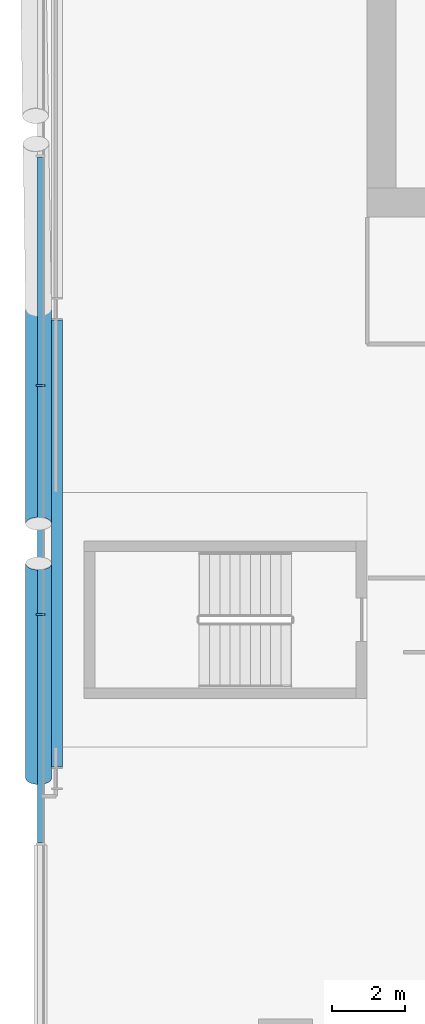
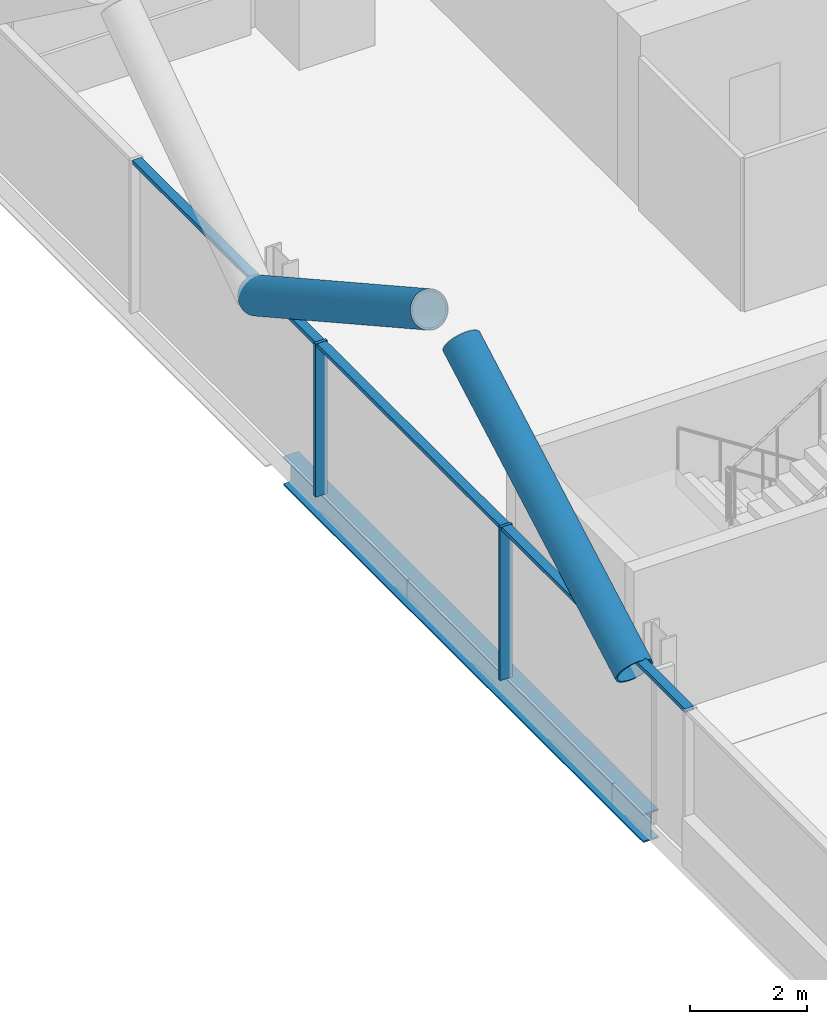
# One storey, part 7 of 29: 7 members, 1 beam, 1 element without a shape of its own.
"""IFC4 building model written with IfcOpenShell, lengths in metres."""

import ifcopenshell
import ifcopenshell.guid

model = None  # the IFC model being written
_history = None  # IfcOwnerHistory: only IFC2X3 demands one
_inside = {}  # id of a spatial element -> (the spatial element, [elements in it])
_under = {}  # id of a project, library or spatial element -> (it, [spatial elements below it])
_declared = {}  # id of a project -> (the project, [libraries it declares])
_typed = {}  # id of a type object -> (the type object, [elements of that type])
_made_of = {}  # id of a material, layer set ... -> (it, [elements and type objects made of it])


def new_model(schema):
    """Start an empty IFC model of exactly this schema.

    Asked for "IFC4X3", IfcOpenShell would pick the latest addendum, in which some entities
    have other attributes; the version numbers below select the first issue.
    IFC2X3 requires an IfcOwnerHistory on every rooted entity: one is made here for all.
    """
    global model, _history
    if schema == "IFC4X3":
        model = ifcopenshell.file(schema_version=(4, 3, 0, 0))
    else:
        model = ifcopenshell.file(schema=schema)
    _inside.clear()
    _under.clear()
    _declared.clear()
    _typed.clear()
    _made_of.clear()
    _history = None
    if model.schema == "IFC2X3":
        org = make("IfcOrganization", Name="unknown")
        user = make(
            "IfcPersonAndOrganization",
            ThePerson=make("IfcPerson", FamilyName="unknown"),
            TheOrganization=org,
        )
        app = make(
            "IfcApplication",
            ApplicationDeveloper=org,
            Version="unknown",
            ApplicationFullName="unknown",
            ApplicationIdentifier="unknown",
        )
        _history = make(
            "IfcOwnerHistory",
            OwningUser=user,
            OwningApplication=app,
            ChangeAction="ADDED",
            CreationDate=0,
        )
    return model


def make(cls, **values):
    """One entity of the class cls with the attributes given. An attribute that is None is left unset."""
    return model.create_entity(
        cls, **{name: value for name, value in values.items() if value is not None}
    )


def rooted(cls, **values):
    """An entity with a GlobalId (a new one), such as an element, a storey or a relation."""
    return make(cls, GlobalId=ifcopenshell.guid.new(), OwnerHistory=_history, **values)


def si_unit(unit_type, name, prefix=None):
    """IfcSIUnit, for example si_unit("LENGTHUNIT", "METRE", prefix="MILLI")."""
    return make("IfcSIUnit", UnitType=unit_type, Prefix=prefix, Name=name)


def assignment(units):
    """IfcUnitAssignment: the units of a project."""
    return None if units is None else make("IfcUnitAssignment", Units=units)


def point(xyz):
    """IfcCartesianPoint."""
    return None if xyz is None else make("IfcCartesianPoint", Coordinates=xyz)


def direction(xyz):
    """IfcDirection."""
    return None if xyz is None else make("IfcDirection", DirectionRatios=xyz)


def frame(location, z_axis=None, x_axis=None):
    """IfcAxis2Placement3D, a coordinate frame: its origin and axes. An axis left out is left unset."""
    return make(
        "IfcAxis2Placement3D",
        Location=point(location),
        Axis=direction(z_axis),
        RefDirection=direction(x_axis),
    )


def frame_2d(location, x_axis=None):
    """IfcAxis2Placement2D, a coordinate frame in the plane: its origin and x axis."""
    return make(
        "IfcAxis2Placement2D", Location=point(location), RefDirection=direction(x_axis)
    )


def origin():
    """The frame at (0, 0, 0) with its axes left unset."""
    return frame((0.0, 0.0, 0.0))


def origin_2d():
    """The frame at (0, 0) in the plane with its x axis left unset."""
    return frame_2d((0.0, 0.0))


def place(relative_to, where):
    """IfcLocalPlacement: puts the frame where relative to a parent placement (None: the world)."""
    return make(
        "IfcLocalPlacement", PlacementRelTo=relative_to, RelativePlacement=where
    )


def context(
    kind, dimensions, precision=None, world=None, true_north=None, identifier=None
):
    """IfcGeometricRepresentationContext, for example the 3D "Model" context."""
    return make(
        "IfcGeometricRepresentationContext",
        ContextIdentifier=identifier,
        ContextType=kind,
        CoordinateSpaceDimension=dimensions,
        Precision=precision,
        WorldCoordinateSystem=world,
        TrueNorth=true_north,
    )


def subcontext(parent, identifier, kind, view, scale=None):
    """IfcGeometricRepresentationSubContext, for example "Body" below "Model"."""
    return make(
        "IfcGeometricRepresentationSubContext",
        ContextIdentifier=identifier,
        ContextType=kind,
        ParentContext=parent,
        TargetScale=scale,
        TargetView=view,
    )


def project(units=None, contexts=None):
    """IfcProject with its units and contexts."""
    return rooted(
        "IfcProject",
        Name="project",
        RepresentationContexts=contexts,
        UnitsInContext=assignment(units),
    )


def spatial(cls, under=None, at=None, **own):
    """A site, building, storey or space (cls), placed at a placement, below another one or the project."""
    s = rooted(cls, ObjectPlacement=at, **own)
    if under is not None:
        _under.setdefault(under.id(), (under, []))[1].append(s)
    return s


def profile(cls, at=None, kind="AREA", **sizes):
    """A parametric profile (cls). Its sizes go by their IFC names, for example OverallWidth=200.0."""
    return make(cls, ProfileType=kind, Position=at, **sizes)


def rectangle(**sizes):
    """IfcRectangleProfileDef."""
    return profile("IfcRectangleProfileDef", **sizes)


def hollow_circle(**sizes):
    """IfcCircleHollowProfileDef."""
    return profile("IfcCircleHollowProfileDef", **sizes)


def i_section(**sizes):
    """IfcIShapeProfileDef."""
    return profile("IfcIShapeProfileDef", **sizes)


def extrude(swept, where, along, depth):
    """IfcExtrudedAreaSolid: the profile swept, set in the frame where, extruded along a direction by depth."""
    return make(
        "IfcExtrudedAreaSolid",
        SweptArea=swept,
        Position=where,
        ExtrudedDirection=direction(along),
        Depth=depth,
    )


def shape(context_of_items, identifier, shape_type, items):
    """IfcShapeRepresentation: the items that make up one representation, for example the "Body"."""
    return make(
        "IfcShapeRepresentation",
        ContextOfItems=context_of_items,
        RepresentationIdentifier=identifier,
        RepresentationType=shape_type,
        Items=items,
    )


def material(Name=None, Category=None):
    """IfcMaterial."""
    return make("IfcMaterial", Name=Name, Category=Category)


def material_profile(
    of_material, cross_section, Name=None, Category=None, Priority=None
):
    """IfcMaterialProfile: a cross section and its material."""
    return make(
        "IfcMaterialProfile",
        Name=Name,
        Material=of_material,
        Profile=cross_section,
        Priority=Priority,
        Category=Category,
    )


def profile_set(profiles, Name=None, composite=None):
    """IfcMaterialProfileSet."""
    return make(
        "IfcMaterialProfileSet",
        Name=Name,
        MaterialProfiles=profiles,
        CompositeProfile=composite,
    )


def made_of(thing, what):
    """Note that an element or type object is made of a material, layer set ...; save() writes the relation."""
    if what is not None:
        _made_of.setdefault(what.id(), (what, []))[1].append(thing)
    return thing


def type_object(cls, material=None, **own):
    """A type object (cls), such as IfcWallType, which elements share."""
    return made_of(rooted(cls, **own), material)


def element(
    cls,
    number,
    at=None,
    inside=None,
    cuts=None,
    type_object=None,
    material=None,
    context=None,
    identifier="Body",
    shape_type=None,
    held_by="IfcProductDefinitionShape",
    body=None,
    shapes=None,
    **own,
):
    """One element of the class cls, such as IfcWall. Its Tag is "e" and its number.

    at: its placement. inside: the storey or other place that contains it. cuts: it is an
    opening in that element (IfcRelVoidsElement). A single representation is given by context,
    identifier, shape_type and body (its items); several are given by shapes. held_by: the class
    of the entity that holds the representations. save() writes the other relations.
    """
    e = rooted(cls, Tag="e%d" % number, ObjectPlacement=at, **own)
    if body is not None:
        shapes = [shape(context, identifier, shape_type, body)]
    if shapes is not None:
        e.Representation = make(held_by, Representations=shapes)
    if inside is not None:
        _inside.setdefault(inside.id(), (inside, []))[1].append(e)
    if cuts is not None:
        rooted(
            "IfcRelVoidsElement", RelatingBuildingElement=cuts, RelatedOpeningElement=e
        )
    if type_object is not None:
        _typed.setdefault(type_object.id(), (type_object, []))[1].append(e)
    return made_of(e, material)


def aggregate(whole, parts):
    """IfcRelAggregates: a whole, such as a stair, and the parts it consists of."""
    return rooted("IfcRelAggregates", RelatingObject=whole, RelatedObjects=parts)


def save(model, path):
    """Write the relations noted so far, then the file.

    IfcRelAggregates (storeys below a building ...), IfcRelContainedInSpatialStructure (elements
    in a storey), IfcRelDefinesByType, IfcRelAssociatesMaterial and IfcRelDeclares: one each for
    every whole, place, type object, material and project.
    """
    for whole, parts in _under.values():
        aggregate(whole, parts)
    for where, things in _inside.values():
        rooted(
            "IfcRelContainedInSpatialStructure",
            RelatedElements=things,
            RelatingStructure=where,
        )
    for kind, things in _typed.values():
        rooted("IfcRelDefinesByType", RelatedObjects=things, RelatingType=kind)
    for what, things in _made_of.values():
        rooted("IfcRelAssociatesMaterial", RelatedObjects=things, RelatingMaterial=what)
    for by, libraries in _declared.values():
        rooted("IfcRelDeclares", RelatingContext=by, RelatedDefinitions=libraries)
    model.write(path)


model = new_model("IFC4")

# Units and contexts
model_context = context("Model", 3, precision=1e-05, world=origin(), true_north=direction((0.0, 1.0)))
body_context = subcontext(model_context, "Body", "Model", "MODEL_VIEW")
ifc_project = project(units=[si_unit("LENGTHUNIT", "METRE"), si_unit("AREAUNIT", "SQUARE_METRE"), si_unit("VOLUMEUNIT", "CUBIC_METRE"), si_unit("PLANEANGLEUNIT", "RADIAN"), si_unit("MASSUNIT", "GRAM", prefix="KILO")], contexts=[model_context])

# Site, building, storey
site_placement = place(None, origin())
site = spatial("IfcSite", under=ifc_project, at=site_placement, CompositionType="ELEMENT")
building_placement = place(site_placement, origin())
building = spatial("IfcBuilding", under=site, at=building_placement, Name="Wharfspan Tower", CompositionType="ELEMENT")
storey_placement = place(building_placement, frame((0.0, 0.0, 155.5)))
storey = spatial("IfcBuildingStorey", under=building, at=storey_placement, Name="L37", CompositionType="ELEMENT", Elevation=155.5)

# Beam
ifc_material_1 = material(Name="Steel S355J2", Category="steel")
ifc_material_profile_1 = material_profile(ifc_material_1, i_section(OverallWidth=0.300049, OverallDepth=0.600098, WebThickness=0.015381, FlangeThickness=0.030029, FilletRadius=0.0271, at=origin_2d()))
ifc_profile_set_1 = profile_set([ifc_material_profile_1], Name="Steel S355J2")
beam_type = type_object("IfcBeamType", Name="Edge beam HEB 600", PredefinedType="SPANDREL", material=ifc_profile_set_1)
beam_placement = place(storey_placement, frame((7.449951, 31.160645, -0.699951), z_axis=(0.0, -1.0, 0.0), x_axis=(1.0, 0.0, 0.0)))
element("IfcBeam", 1, at=beam_placement, inside=storey, type_object=beam_type, Name="Edge beam W L37 PW.1 to PW.2", PredefinedType="SPANDREL", context=body_context, shape_type="SweptSolid", body=[
    extrude(i_section(OverallWidth=0.300049, OverallDepth=0.600098, WebThickness=0.015381, FlangeThickness=0.030029, FilletRadius=0.0271, at=origin_2d()), origin(), (0.0, 0.0, 1.0), 12.321289),
])

# Curtain wall, members
ifc_material_2 = material(Name="Aluminium 6063-T6", Category="aluminium")
curtain_wall_type = type_object("IfcCurtainWallType", Name="CURTAIN WALL PROW AND END", PredefinedType="NOTDEFINED", material=ifc_material_2)
curtain_wall_placement = place(storey_placement, origin())
curtain_wall = element("IfcCurtainWall", 2, at=curtain_wall_placement, inside=storey, type_object=curtain_wall_type, Name="Curtain wall W", PredefinedType="NOTDEFINED")
ifc_material_profile_2 = material_profile(ifc_material_2, rectangle(XDim=0.23999, YDim=0.060059, at=origin_2d()))
ifc_profile_set_2 = profile_set([ifc_material_profile_2], Name="Aluminium 6063-T6")
member_type_1 = type_object("IfcMemberType", Name="MULLION PROW AND END 60x240", PredefinedType="MULLION", material=ifc_profile_set_2)
member_1_placement = place(storey_placement, frame((7.0, 29.360107, 0.0), z_axis=(0.0, 0.0, 1.0), x_axis=(1.0, 0.0, 0.0)))
member_1 = element("IfcMember", 3, at=member_1_placement, type_object=member_type_1, Name="Curtain wall W mullion 3", PredefinedType="MULLION", context=body_context, shape_type="SweptSolid", body=[
    extrude(rectangle(XDim=0.23999, YDim=0.060059, at=origin_2d()), origin(), (0.0, 0.0, 1.0), 3.199951),
])
member_2_placement = place(storey_placement, frame((7.0, 23.040039, 0.0), z_axis=(0.0, 0.0, 1.0), x_axis=(1.0, 0.0, 0.0)))
member_2 = element("IfcMember", 4, at=member_2_placement, type_object=member_type_1, Name="Curtain wall W mullion 4", PredefinedType="MULLION", context=body_context, shape_type="SweptSolid", body=[
    extrude(rectangle(XDim=0.23999, YDim=0.060059, at=origin_2d()), origin(), (0.0, 0.0, 1.0), 3.199951),
])

# Members
ifc_material_3 = material(Name="Steel S460NH", Category="steel")
ifc_material_profile_3 = material_profile(ifc_material_3, hollow_circle(Radius=0.355469, WallThickness=0.035889, at=origin_2d()))
ifc_profile_set_3 = profile_set([ifc_material_profile_3], Name="Steel S460NH")
member_type_2 = type_object("IfcMemberType", Name="Mega brace CHS 711x36", PredefinedType="BRACE", material=ifc_profile_set_3)
for number, where, z_axis, x_axis, name in (
    (5, (6.945068, 31.466553, 2.899902), (0.0, -0.873718, 0.486433), (1.0, 0.0, 0.0), "Mega brace W3 L38 part 1"),
    (6, (6.945068, 18.533447, 2.899902), (0.0, 0.873718, 0.486433), (-1.0, 0.0, 0.0), "Mega brace W3 L38 part 3"),
):
    element("IfcMember", number, at=place(storey_placement, frame(where, z_axis=z_axis, x_axis=x_axis)), inside=storey, type_object=member_type_2, Name=name, PredefinedType="BRACE", context=body_context, shape_type="SweptSolid", body=[
        extrude(hollow_circle(Radius=0.355469, WallThickness=0.035889, at=origin_2d()), origin(), (0.0, 0.0, 1.0), 6.766602),
    ])

# Member
ifc_material_profile_4 = material_profile(ifc_material_2, rectangle(XDim=0.179932, YDim=0.080078, at=origin_2d()))
ifc_profile_set_4 = profile_set([ifc_material_profile_4], Name="Aluminium 6063-T6")
member_type_3 = type_object("IfcMemberType", Name="TRANSOM PROW AND END 80x180", PredefinedType="USERDEFINED", material=ifc_profile_set_4)
member_3_placement = place(storey_placement, frame((7.0, 35.649902, 3.159912), z_axis=(0.0, -1.0, 0.0), x_axis=(1.0, 0.0, 0.0)))
member_3 = element("IfcMember", 7, at=member_3_placement, type_object=member_type_3, Name="Curtain wall W transom 2", ObjectType="TRANSOM", PredefinedType="USERDEFINED", context=body_context, shape_type="SweptSolid", body=[
    extrude(rectangle(XDim=0.179932, YDim=0.080078, at=origin_2d()), origin(), (0.0, 0.0, 1.0), 6.26001),
])

member_4_placement = place(storey_placement, frame((7.0, 29.330078, 3.159912), z_axis=(0.0, -1.0, 0.0), x_axis=(1.0, 0.0, 0.0)))
member_4 = element("IfcMember", 8, at=member_4_placement, type_object=member_type_3, Name="Curtain wall W transom 3", ObjectType="TRANSOM", PredefinedType="USERDEFINED", context=body_context, shape_type="SweptSolid", body=[
    extrude(rectangle(XDim=0.179932, YDim=0.080078, at=origin_2d()), origin(), (0.0, 0.0, 1.0), 6.26001),
])

member_5_placement = place(storey_placement, frame((7.0, 23.01001, 3.159912), z_axis=(0.0, -1.0, 0.0), x_axis=(1.0, 0.0, 0.0)))
member_5 = element("IfcMember", 9, at=member_5_placement, type_object=member_type_3, Name="Curtain wall W transom 4", ObjectType="TRANSOM", PredefinedType="USERDEFINED", context=body_context, shape_type="SweptSolid", body=[
    extrude(rectangle(XDim=0.179932, YDim=0.080078, at=origin_2d()), origin(), (0.0, 0.0, 1.0), 6.26001),
])

aggregate(curtain_wall, [member_1, member_2, member_3, member_4, member_5])

save(model, "model.ifc")
